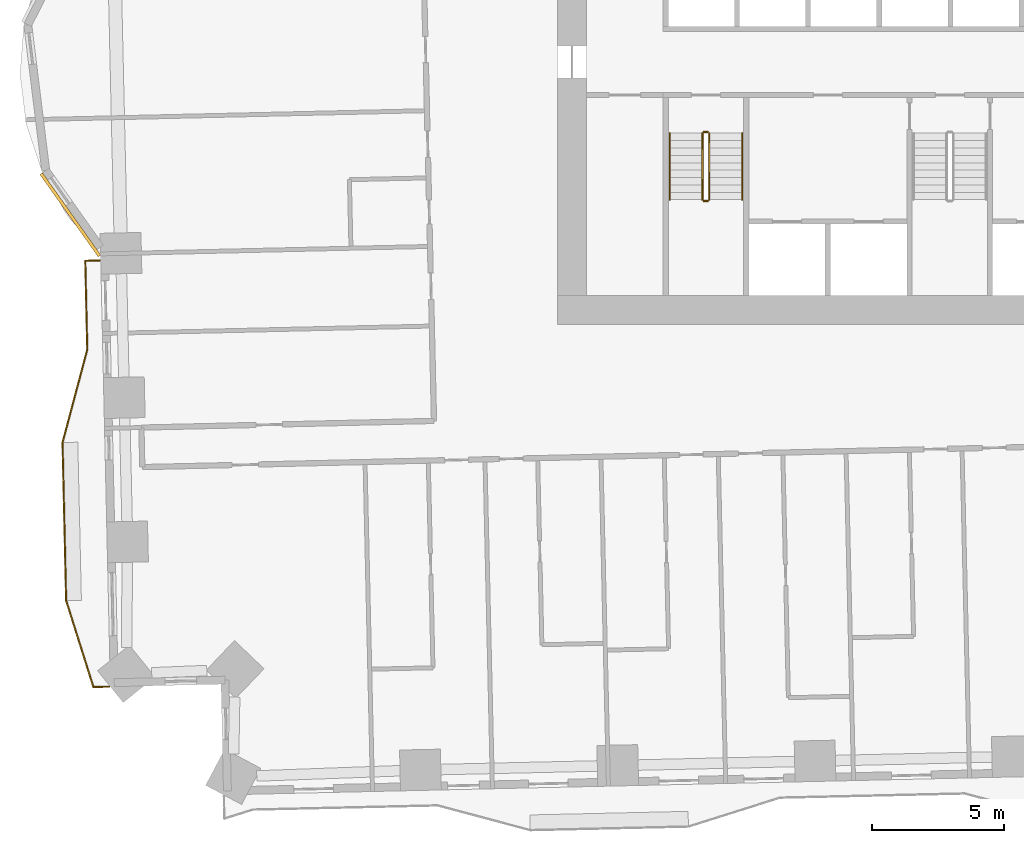
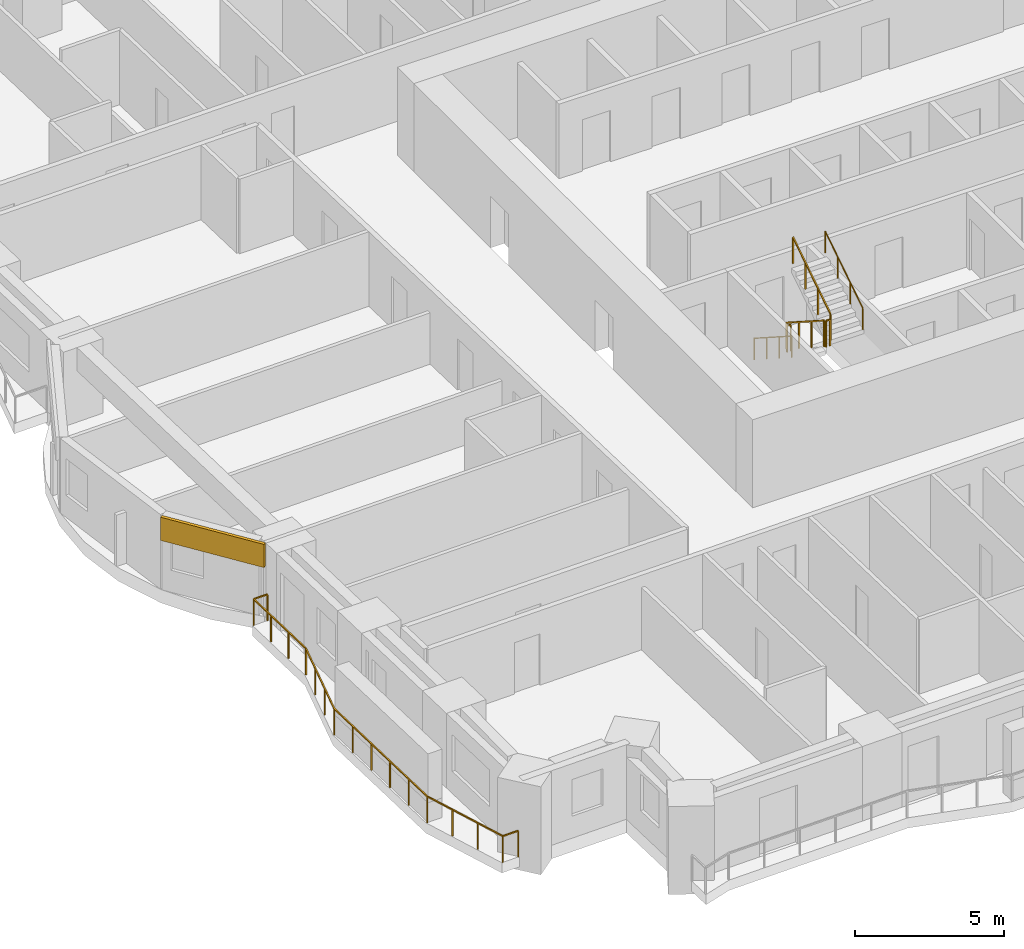
# One storey, part 13 of 16: 7 railings, 1 covering.
"""IFC4 building model written with IfcOpenShell, lengths in metres."""

from ifc_helpers import new_model, si_unit, direction, frame, frame_2d, origin, origin_2d, place, context, subcontext, project, spatial, rectangle, circle, extrude, material, layer, layer_set, type_object, element, save


model = new_model("IFC4")

# Units and contexts
model_context = context("Model", 3, precision=1e-05, world=origin(), true_north=direction((0.0, 1.0)))
body_context = subcontext(model_context, "Body", "Model", "MODEL_VIEW")
ifc_project = project(units=[si_unit("LENGTHUNIT", "METRE"), si_unit("AREAUNIT", "SQUARE_METRE"), si_unit("VOLUMEUNIT", "CUBIC_METRE"), si_unit("PLANEANGLEUNIT", "RADIAN"), si_unit("MASSUNIT", "GRAM", prefix="KILO")], contexts=[model_context])

# Site, building, storey
site_placement = place(None, origin())
site = spatial("IfcSite", under=ifc_project, at=site_placement, CompositionType="ELEMENT")
building_placement = place(site_placement, origin())
building = spatial("IfcBuilding", under=site, at=building_placement, Name="Mangrove Gate Tower", CompositionType="ELEMENT")
storey_placement = place(building_placement, frame((0.0, 0.0, 37.699951171875)))
storey = spatial("IfcBuildingStorey", under=building, at=storey_placement, Name="L08", CompositionType="ELEMENT", Elevation=37.699951171875)

# Railings
ifc_material_1 = material(Name="Stainless steel grade 316 with laminated glass infill", Category="steel")
railing_type_1 = type_object("IfcRailingType", Name="Balcony guard 1100", PredefinedType="GUARDRAIL", material=ifc_material_1)
railing_1_placement = place(storey_placement, frame((-32.27001953125, -9.472900390625, 0.0)))
element("IfcRailing", 1, at=railing_1_placement, inside=storey, type_object=railing_type_1, Name="GUARD L08 W2", PredefinedType="GUARDRAIL", context=body_context, shape_type="SweptSolid", body=[
    extrude(rectangle(XDim=0.048095703125, YDim=0.048095703125, at=origin_2d()), frame((0.0, 0.0, 1.076171875), z_axis=(-0.999750969968, -0.022315869865, 0.0), x_axis=(0.022315869865, -0.999750969968, 0.0)), (0.0, 0.0, 1.0), 0.547119140625),
    extrude(rectangle(XDim=0.048095703125, YDim=0.048095703125, at=origin_2d()), frame((-0.546875, -0.01220703125, 1.076171875), z_axis=(0.022499549267, -0.9997468531, 0.0), x_axis=(0.9997468531, 0.022499549267, 0.0)), (0.0, 0.0, 1.0), 3.37451171875),
    extrude(rectangle(XDim=0.048095703125, YDim=0.048095703125, at=origin_2d()), frame((-0.470947265625, -3.385986328125, 1.076171875), z_axis=(-0.257337462972, -0.966321597684, 0.0), x_axis=(0.966321597684, -0.257337462972, 0.0)), (0.0, 0.0, 1.0), 3.64501953125),
    extrude(rectangle(XDim=0.048095703125, YDim=0.048095703125, at=origin_2d()), frame((-1.408935546875, -6.908203125, 1.076171875), z_axis=(0.022825844901, -0.999739456461, 0.0), x_axis=(0.999739456461, 0.022825844901, 0.0)), (0.0, 0.0, 1.0), 6.000244140625),
    extrude(rectangle(XDim=0.048095703125, YDim=0.048095703125, at=origin_2d()), frame((-1.27197265625, -12.906982421875, 1.076171875), z_axis=(0.30088314138, -0.953661016941, 0.0), x_axis=(0.953661016941, 0.30088314138, 0.0)), (0.0, 0.0, 1.0), 3.436279296875),
    extrude(rectangle(XDim=0.048095703125, YDim=0.048095703125, at=origin_2d()), frame((-0.238037109375, -16.18408203125, 1.076171875), z_axis=(0.999771350546, 0.0213833259, 0.0), x_axis=(-0.0213833259, 0.999771350546, 0.0)), (0.0, 0.0, 1.0), 0.605224609375),
    extrude(rectangle(XDim=0.0419921875, YDim=0.0419921875, at=origin_2d()), origin(), (0.0, 0.0, 1.0), 1.052001953125),
    extrude(rectangle(XDim=0.0419921875, YDim=0.0419921875, at=origin_2d()), frame((-0.546875, -0.01220703125, 0.0)), (0.0, 0.0, 1.0), 1.052001953125),
    extrude(rectangle(XDim=0.0419921875, YDim=0.0419921875, at=origin_2d()), frame((-0.521484375, -1.13671875, 0.0)), (0.0, 0.0, 1.0), 1.052001953125),
    extrude(rectangle(XDim=0.0419921875, YDim=0.0419921875, at=origin_2d()), frame((-0.496337890625, -2.261474609375, 0.0)), (0.0, 0.0, 1.0), 1.052001953125),
    extrude(rectangle(XDim=0.0419921875, YDim=0.0419921875, at=origin_2d()), frame((-0.470947265625, -3.385986328125, 0.0)), (0.0, 0.0, 1.0), 1.052001953125),
    extrude(rectangle(XDim=0.0419921875, YDim=0.0419921875, at=origin_2d()), frame((-0.78369140625, -4.56005859375, 0.0)), (0.0, 0.0, 1.0), 1.052001953125),
    extrude(rectangle(XDim=0.0419921875, YDim=0.0419921875, at=origin_2d()), frame((-1.09619140625, -5.734130859375, 0.0)), (0.0, 0.0, 1.0), 1.052001953125),
    extrude(rectangle(XDim=0.0419921875, YDim=0.0419921875, at=origin_2d()), frame((-1.408935546875, -6.908203125, 0.0)), (0.0, 0.0, 1.0), 1.052001953125),
    extrude(rectangle(XDim=0.0419921875, YDim=0.0419921875, at=origin_2d()), frame((-1.381591796875, -8.10791015625, 0.0)), (0.0, 0.0, 1.0), 1.052001953125),
    extrude(rectangle(XDim=0.0419921875, YDim=0.0419921875, at=origin_2d()), frame((-1.354248046875, -9.3076171875, 0.0)), (0.0, 0.0, 1.0), 1.052001953125),
    extrude(rectangle(XDim=0.0419921875, YDim=0.0419921875, at=origin_2d()), frame((-1.32666015625, -10.507568359375, 0.0)), (0.0, 0.0, 1.0), 1.052001953125),
    extrude(rectangle(XDim=0.0419921875, YDim=0.0419921875, at=origin_2d()), frame((-1.29931640625, -11.707275390625, 0.0)), (0.0, 0.0, 1.0), 1.052001953125),
    extrude(rectangle(XDim=0.0419921875, YDim=0.0419921875, at=origin_2d()), frame((-1.27197265625, -12.906982421875, 0.0)), (0.0, 0.0, 1.0), 1.052001953125),
    extrude(rectangle(XDim=0.0419921875, YDim=0.0419921875, at=origin_2d()), frame((-0.92724609375, -13.999267578125, 0.0)), (0.0, 0.0, 1.0), 1.052001953125),
    extrude(rectangle(XDim=0.0419921875, YDim=0.0419921875, at=origin_2d()), frame((-0.582763671875, -15.091796875, 0.0)), (0.0, 0.0, 1.0), 1.052001953125),
    extrude(rectangle(XDim=0.0419921875, YDim=0.0419921875, at=origin_2d()), frame((-0.238037109375, -16.18408203125, 0.0)), (0.0, 0.0, 1.0), 1.052001953125),
    extrude(rectangle(XDim=0.0419921875, YDim=0.0419921875, at=origin_2d()), frame((0.366943359375, -16.171142578125, 0.0)), (0.0, 0.0, 1.0), 1.052001953125),
])
ifc_material_2 = material(Name="Stainless steel 316", Category="steel")
railing_type_2 = type_object("IfcRailingType", Name="Core stair guard 1100", PredefinedType="GUARDRAIL", material=ifc_material_2)
railing_2_placement = place(storey_placement, frame((-9.39990234375, -4.64990234375, 0.179931640625)))
element("IfcRailing", 2, at=railing_2_placement, inside=storey, type_object=railing_type_2, Name="L08 ST1 stair guard 1", PredefinedType="GUARDRAIL", context=body_context, shape_type="SweptSolid", body=[
    extrude(rectangle(XDim=0.048095703125, YDim=0.048095703125, at=origin_2d()), frame((0.0, 0.0, 1.076171875), z_axis=(0.0, -0.841162588446, 0.540782303519), x_axis=(1.0, 0.0, 0.0)), (0.0, 0.0, 1.0), 2.995849609375),
    extrude(rectangle(XDim=0.0419921875, YDim=0.0419921875, at=origin_2d()), origin(), (0.0, 0.0, 1.0), 1.052001953125),
    extrude(rectangle(XDim=0.0419921875, YDim=0.0419921875, at=origin_2d()), frame((0.0, -0.840087890625, 0.5400390625)), (0.0, 0.0, 1.0), 1.052001953125),
    extrude(rectangle(XDim=0.0419921875, YDim=0.0419921875, at=origin_2d()), frame((0.0, -1.679931640625, 1.080078125)), (0.0, 0.0, 1.0), 1.052001953125),
    extrude(rectangle(XDim=0.0419921875, YDim=0.0419921875, at=origin_2d()), frame((0.0, -2.52001953125, 1.6201171875)), (0.0, 0.0, 1.0), 1.052001953125),
])
railing_3_placement = place(storey_placement, frame((-9.35009765625, -7.219970703125, 1.800048828125)))
element("IfcRailing", 3, at=railing_3_placement, inside=storey, type_object=railing_type_2, Name="L08 ST1 stair guard 2", PredefinedType="GUARDRAIL", context=body_context, shape_type="SweptSolid", body=[
    extrude(rectangle(XDim=0.048095703125, YDim=0.048095703125, at=origin_2d()), frame((0.0, 0.0, 1.076171875), z_axis=(1.0, 0.0, 0.0), x_axis=(0.0, 1.0, 0.0)), (0.0, 0.0, 1.0), 0.150146484375),
    extrude(rectangle(XDim=0.0419921875, YDim=0.0419921875, at=origin_2d()), origin(), (0.0, 0.0, 1.0), 1.052001953125),
    extrude(rectangle(XDim=0.0419921875, YDim=0.0419921875, at=origin_2d()), frame((0.150146484375, 0.0, 0.0)), (0.0, 0.0, 1.0), 1.052001953125),
])
railing_4_placement = place(storey_placement, frame((-9.14990234375, -7.169921875, 1.97998046875)))
element("IfcRailing", 4, at=railing_4_placement, inside=storey, type_object=railing_type_2, Name="L08 ST1 stair guard 3", PredefinedType="GUARDRAIL", context=body_context, shape_type="SweptSolid", body=[
    extrude(rectangle(XDim=0.048095703125, YDim=0.048095703125, at=origin_2d()), frame((0.0, 0.0, 1.076171875), z_axis=(0.0, 0.841162588446, 0.540782303519), x_axis=(-1.0, 0.0, 0.0)), (0.0, 0.0, 1.0), 2.995849609375),
    extrude(rectangle(XDim=0.0419921875, YDim=0.0419921875, at=origin_2d()), origin(), (0.0, 0.0, 1.0), 1.052001953125),
    extrude(rectangle(XDim=0.0419921875, YDim=0.0419921875, at=origin_2d()), frame((0.0, 0.840087890625, 0.5400390625)), (0.0, 0.0, 1.0), 1.052001953125),
    extrude(rectangle(XDim=0.0419921875, YDim=0.0419921875, at=origin_2d()), frame((0.0, 1.679931640625, 1.080078125)), (0.0, 0.0, 1.0), 1.052001953125),
    extrude(rectangle(XDim=0.0419921875, YDim=0.0419921875, at=origin_2d()), frame((0.0, 2.52001953125, 1.6201171875)), (0.0, 0.0, 1.0), 1.052001953125),
])
railing_5_placement = place(storey_placement, frame((-9.35009765625, -4.60009765625, 0.0)))
element("IfcRailing", 5, at=railing_5_placement, inside=storey, type_object=railing_type_2, Name="L08 ST1 stair guard 4", PredefinedType="GUARDRAIL", context=body_context, shape_type="SweptSolid", body=[
    extrude(rectangle(XDim=0.048095703125, YDim=0.048095703125, at=origin_2d()), frame((0.0, 0.0, 1.076171875), z_axis=(1.0, 0.0, 0.0), x_axis=(0.0, 1.0, 0.0)), (0.0, 0.0, 1.0), 0.150146484375),
    extrude(rectangle(XDim=0.0419921875, YDim=0.0419921875, at=origin_2d()), origin(), (0.0, 0.0, 1.0), 1.052001953125),
    extrude(rectangle(XDim=0.0419921875, YDim=0.0419921875, at=origin_2d()), frame((0.150146484375, 0.0, 0.0)), (0.0, 0.0, 1.0), 1.052001953125),
])
ifc_material_3 = material(Name="Stainless steel 316", Category="steel")
railing_type_3 = type_object("IfcRailingType", Name="Core stair handrail 900", PredefinedType="HANDRAIL", material=ifc_material_3)
railing_6_placement = place(storey_placement, frame((-10.64990234375, -4.64990234375, 0.179931640625)))
element("IfcRailing", 6, at=railing_6_placement, inside=storey, type_object=railing_type_3, Name="L08 ST1 stair handrail 1", PredefinedType="HANDRAIL", context=body_context, shape_type="SweptSolid", body=[
    extrude(circle(Radius=0.02392578125, at=origin_2d()), frame((0.0, 0.0, 0.8759765625), z_axis=(0.0, -0.841162588446, 0.540782303519), x_axis=(1.0, 0.0, 0.0)), (0.0, 0.0, 1.0), 2.995849609375),
    extrude(circle(Radius=0.02099609375, at=origin_2d()), origin(), (0.0, 0.0, 1.0), 0.851806640625),
    extrude(circle(Radius=0.02099609375, at=origin_2d()), frame((0.0, -0.840087890625, 0.5400390625)), (0.0, 0.0, 1.0), 0.851806640625),
    extrude(circle(Radius=0.02099609375, at=origin_2d()), frame((0.0, -1.679931640625, 1.080078125)), (0.0, 0.0, 1.0), 0.851806640625),
    extrude(circle(Radius=0.02099609375, at=origin_2d()), frame((0.0, -2.52001953125, 1.6201171875)), (0.0, 0.0, 1.0), 0.851806640625),
])
railing_7_placement = place(storey_placement, frame((-7.89990234375, -7.169921875, 1.97998046875)))
element("IfcRailing", 7, at=railing_7_placement, inside=storey, type_object=railing_type_3, Name="L08 ST1 stair handrail 2", PredefinedType="HANDRAIL", context=body_context, shape_type="SweptSolid", body=[
    extrude(circle(Radius=0.02392578125, at=origin_2d()), frame((0.0, 0.0, 0.8759765625), z_axis=(0.0, 0.841162588446, 0.540782303519), x_axis=(-1.0, 0.0, 0.0)), (0.0, 0.0, 1.0), 2.995849609375),
    extrude(circle(Radius=0.02099609375, at=origin_2d()), origin(), (0.0, 0.0, 1.0), 0.851806640625),
    extrude(circle(Radius=0.02099609375, at=origin_2d()), frame((0.0, 0.840087890625, 0.5400390625)), (0.0, 0.0, 1.0), 0.851806640625),
    extrude(circle(Radius=0.02099609375, at=origin_2d()), frame((0.0, 1.679931640625, 1.080078125)), (0.0, 0.0, 1.0), 0.851806640625),
    extrude(circle(Radius=0.02099609375, at=origin_2d()), frame((0.0, 2.52001953125, 1.6201171875)), (0.0, 0.0, 1.0), 0.851806640625),
])

# Covering
ifc_material_4 = material(Name="Limestone", Category="masonry")
ifc_layer_1 = layer(ifc_material_4, 0.0400390625, Name="Limestone cladding")
ifc_material_5 = material(Name="Stainless steel anchors and cavity", Category="steel")
ifc_layer_2 = layer(ifc_material_5, 0.080078125, Name="Fixing cavity")
ifc_layer_set = layer_set([ifc_layer_1, ifc_layer_2], Name="Joint fascia cladding 120")
covering_type = type_object("IfcCoveringType", Name="Joint fascia cladding 120", PredefinedType="CLADDING", material=ifc_layer_set)
covering_placement = place(storey_placement, frame((-34.486083984375, -6.18701171875, 2.10009765625), z_axis=(0.0, 0.0, 1.0), x_axis=(0.578168098379, -0.815917673553, 0.0)))
element("IfcCovering", 8, at=covering_placement, inside=storey, type_object=covering_type, Name="STONE FASCIA L08 W9.L2", PredefinedType="CLADDING", context=body_context, shape_type="SweptSolid", body=[
    extrude(rectangle(XDim=3.819091796875, YDim=0.1201171875, at=frame_2d((1.90966796875, 0.0))), origin(), (0.0, 0.0, 1.0), 0.949951171875),
])

save(model, "model.ifc")
